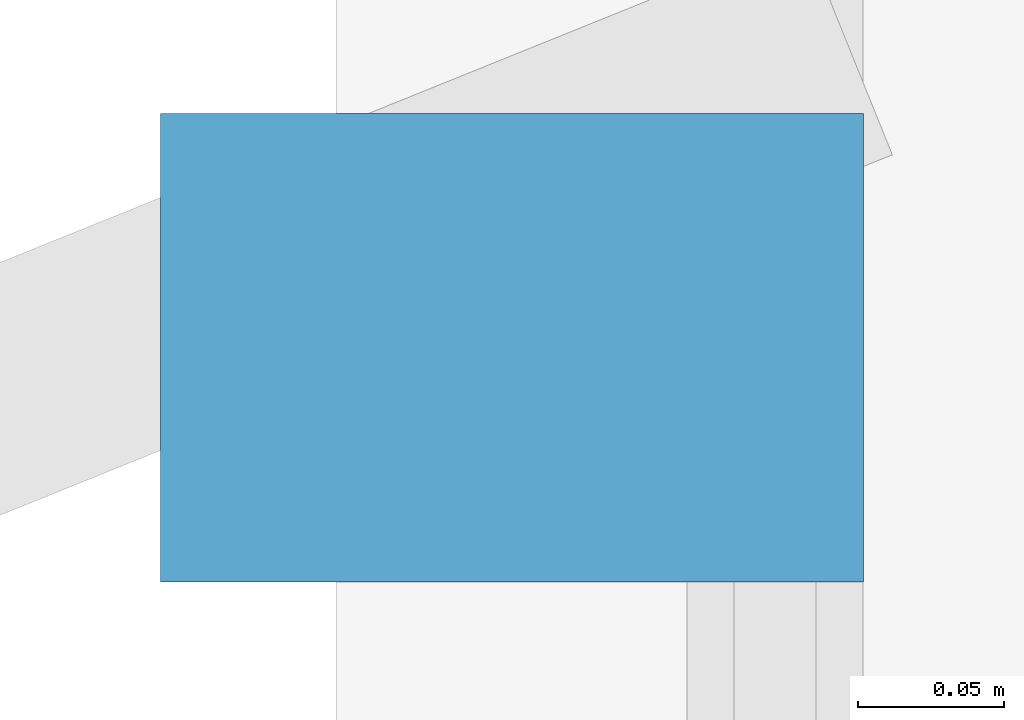
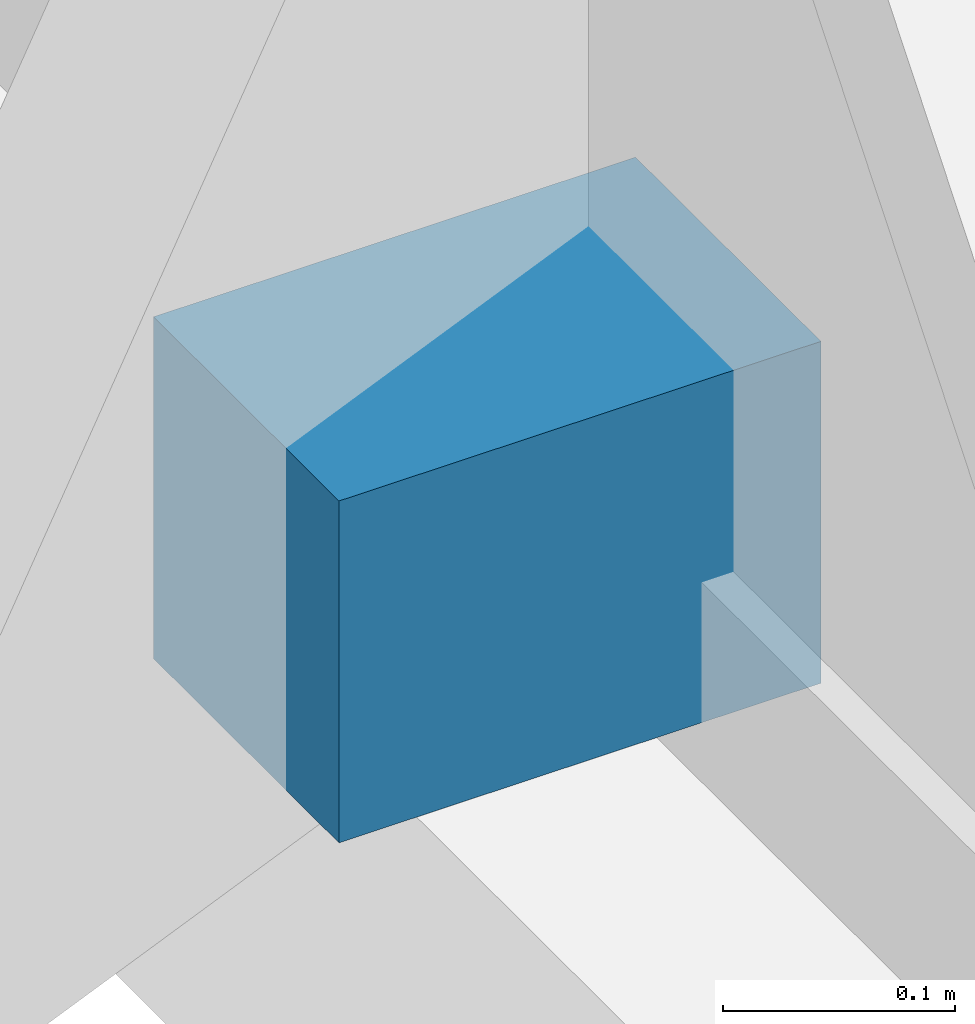
# One storey, part 27 of 29: 1 discrete accessory.
"""IFC4 building model written with IfcOpenShell, lengths in metres."""

from ifc_helpers import new_model, si_unit, direction, frame, origin, origin_2d, place, context, subcontext, project, spatial, rectangle, extrude, material, type_object, element, save


model = new_model("IFC4")

# Units and contexts
model_context = context("Model", 3, precision=1e-05, world=origin(), true_north=direction((0.0, 1.0)))
body_context = subcontext(model_context, "Body", "Model", "MODEL_VIEW")
ifc_project = project(units=[si_unit("LENGTHUNIT", "METRE"), si_unit("AREAUNIT", "SQUARE_METRE"), si_unit("VOLUMEUNIT", "CUBIC_METRE"), si_unit("PLANEANGLEUNIT", "RADIAN"), si_unit("MASSUNIT", "GRAM", prefix="KILO")], contexts=[model_context])

# Site, building, storey
site_placement = place(None, origin())
site = spatial("IfcSite", under=ifc_project, at=site_placement, CompositionType="ELEMENT")
building_placement = place(site_placement, origin())
building = spatial("IfcBuilding", under=site, at=building_placement, Name="Calvorn Quay Hotel", CompositionType="ELEMENT")
storey_placement = place(building_placement, frame((0.0, 0.0, 175.10009765625)))
storey = spatial("IfcBuildingStorey", under=building, at=storey_placement, Name="L43", CompositionType="ELEMENT", Elevation=175.10009765625)

# Discrete accessory
ifc_material = material(Name="Steel Q355B", Category="steel")
discrete_accessory_type = type_object("IfcDiscreteAccessoryType", Name="ACC-FIN-BRACKET", PredefinedType="BRACKET", material=ifc_material)
discrete_accessory_placement = place(storey_placement, frame((0.06005859375, 37.25, 0.02978515625), z_axis=(0.0, 0.0, 1.0), x_axis=(1.0, 0.0, 0.0)))
element("IfcDiscreteAccessory", 1, at=discrete_accessory_placement, inside=storey, type_object=discrete_accessory_type, Name="Fin Anchor Bracket L43-W03", PredefinedType="BRACKET", context=body_context, shape_type="SweptSolid", body=[
    extrude(rectangle(XDim=0.239990234375, YDim=0.159912109375, at=origin_2d()), origin(), (0.0, 0.0, 1.0), 0.179931640625),
])

save(model, "model.ifc")
